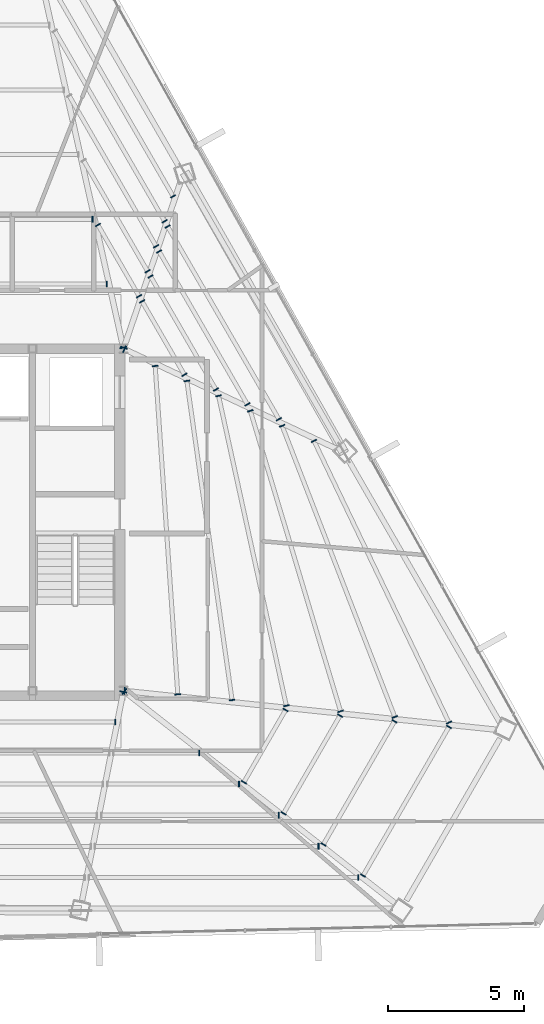
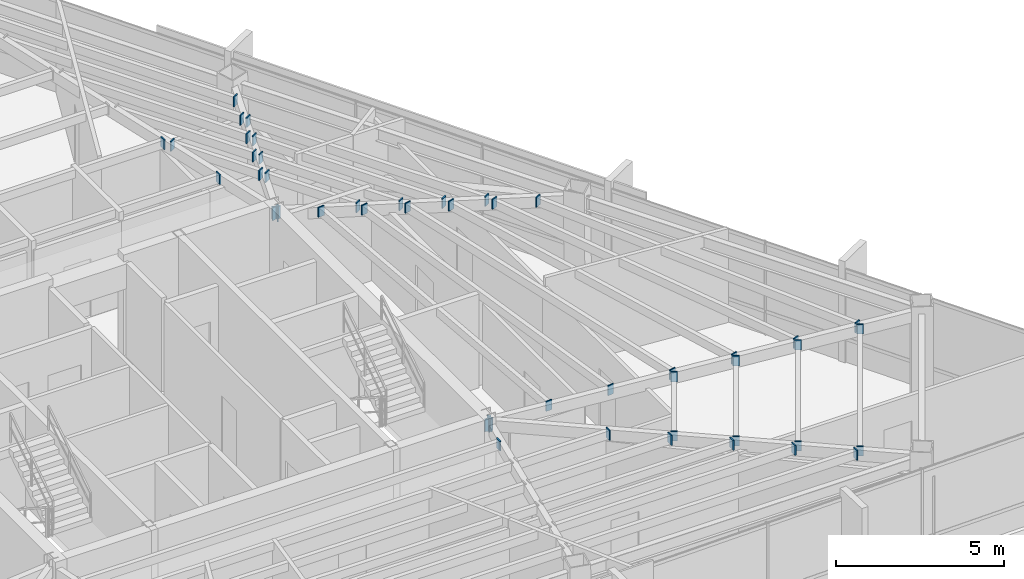
# One storey, part 40 of 47: 48 plates.
"""IFC4 building model written with IfcOpenShell, lengths in metres."""

from ifc_helpers import new_model, si_unit, direction, frame, origin, origin_2d, place, context, subcontext, project, spatial, rectangle, extrude, source, transform, mapped, material, layer, layer_set, type_object, type_shapes, element, save


model = new_model("IFC4")

# Units and contexts
model_context = context("Model", 3, precision=1e-05, world=origin(), true_north=direction((0.0, 1.0)))
body_context = subcontext(model_context, "Body", "Model", "MODEL_VIEW")
ifc_project = project(units=[si_unit("LENGTHUNIT", "METRE"), si_unit("AREAUNIT", "SQUARE_METRE"), si_unit("VOLUMEUNIT", "CUBIC_METRE"), si_unit("PLANEANGLEUNIT", "RADIAN"), si_unit("MASSUNIT", "GRAM", prefix="KILO")], contexts=[model_context])

# Site, building, storey
site_placement = place(None, origin())
site = spatial("IfcSite", under=ifc_project, at=site_placement, CompositionType="ELEMENT")
building_placement = place(site_placement, origin())
building = spatial("IfcBuilding", under=site, at=building_placement, Name="Caelisora Broadcast Tower", CompositionType="ELEMENT")
storey_placement = place(building_placement, frame((0.0, 0.0, 255.39990234375)))
storey = spatial("IfcBuildingStorey", under=building, at=storey_placement, Name="L67", CompositionType="ELEMENT", Elevation=255.39990234375)

# Plates
ifc_material = material(Name="Steel Grade 350 L15 (AS/NZS 3678)", Category="steel")
ifc_layer = layer(ifc_material, 0.0400390625, Name="Steel Grade 350 L15 (AS/NZS 3678)")
ifc_layer_set = layer_set([ifc_layer], Name="Steel Grade 350 L15 (AS/NZS 3678)")
plate_type = type_object("IfcPlateType", Name="GP04", PredefinedType="USERDEFINED", material=ifc_layer_set)
shared_shape_1 = source(origin(), body_context, "Body", "SweptSolid", [
    extrude(rectangle(XDim=0.260009765625, YDim=0.0400390625, at=origin_2d()), origin(), (0.0, 0.0, 1.0), 0.4599609375),
])
for number, where, z_axis, x_axis, name in (
    (1, (45.4912109375, 30.0390625, 2.97021484375), (0.0, 0.0, 1.0), (-0.976068816814, -0.217461869863, 0.0), "L67 gusset plate GP04 (ND-RAD-L67-01)"),
    (2, (45.4921875, 17.36083984375, 2.97021484375), (0.0, 0.0, 1.0), (0.981022896164, -0.193891921448, 0.0), "L67 gusset plate GP04 (ND-RAD-L67-08)"),
    (3, (45.531494140625, 17.37548828125, 2.97021484375), (0.0, 0.0, 1.0), (0.616073992379, 0.787688286008, 0.0), "L67 gusset plate GP04 (ND-RAD-L67-09)"),
    (4, (45.539794921875, 17.395751953125, 2.97021484375), (0.0, 0.0, 1.0), (0.103834130589, 0.994594627637, 0.0), "L67 gusset plate GP04 (ND-RAD-L67-10)"),
    (5, (45.5361328125, 29.98291015625, 2.97021484375), (0.0, 0.0, 1.0), (0.425463421407, 0.904975622348, 0.0), "L67 gusset plate GP04 (ND-RAD-L67-11)"),
    (6, (45.512939453125, 30.037841796875, 2.97021484375), (0.0, 0.0, 1.0), (-0.946198369695, 0.32358715238, 0.0), "L67 gusset plate GP04 (ND-RAD-L67-12)"),
):
    element("IfcPlate", number, at=place(storey_placement, frame(where, z_axis=z_axis, x_axis=x_axis)), inside=storey, type_object=plate_type, Name=name, ObjectType="GUSSET PLATE", PredefinedType="USERDEFINED", context=body_context, shape_type="MappedRepresentation", body=[
        mapped(shared_shape_1, transform((0.0, 0.0, 0.0), scale=1.0)),
    ])
shared_shape_2 = source(origin(), body_context, "Body", "SweptSolid", [
    extrude(rectangle(XDim=0.2099609375, YDim=0.0400390625, at=origin_2d()), origin(), (0.0, 0.0, 1.0), 0.360107421875),
])
type_shapes(plate_type, [shared_shape_1, shared_shape_2])
for number, where, z_axis, x_axis, name in (
    (7, (44.889404296875, 32.3828125, 3.06982421875), (0.0, 0.0, 1.0), (0.0, -1.0, 0.0), "L67 gusset plate GP04 (ND-SB-L67-001A)"),
    (8, (44.3583984375, 34.765380859375, 3.06982421875), (0.0, 0.0, 1.0), (0.0, -1.0, 0.0), "L67 gusset plate GP04 (ND-SB-L67-002A)"),
    (9, (45.19482421875, 16.2548828125, 3.06982421875), (0.0, 0.0, 1.0), (0.0, 1.0, 0.0), "L67 gusset plate GP04 (ND-SB-L67-031B)"),
    (10, (48.2890625, 15.10986328125, 3.06982421875), (0.0, 0.0, 1.0), (0.0, 1.0, 0.0), "L67 gusset plate GP04 (ND-SB-L67-037B)"),
    (11, (49.75341796875, 13.964599609375, 3.06982421875), (0.0, 0.0, 1.0), (0.0, 1.0, 0.0), "L67 gusset plate GP04 (ND-SB-L67-038B)"),
    (12, (51.217529296875, 12.819580078125, 3.06982421875), (0.0, 0.0, 1.0), (0.0, 1.0, 0.0), "L67 gusset plate GP04 (ND-SB-L67-039B)"),
    (13, (52.681884765625, 11.674560546875, 3.06982421875), (0.0, 0.0, 1.0), (0.0, 1.0, 0.0), "L67 gusset plate GP04 (ND-SB-L67-040B)"),
    (14, (54.14599609375, 10.529541015625, 3.06982421875), (0.0, 0.0, 1.0), (0.0, 1.0, 0.0), "L67 gusset plate GP04 (ND-SB-L67-041B)"),
    (15, (49.931640625, 14.0322265625, 3.06982421875), (0.0, 0.0, 1.0), (-0.866025403784, 0.5, 0.0), "L67 gusset plate GP04 (ND-SB-L67-042A)"),
    (16, (51.470458984375, 16.69775390625, 3.06982421875), (0.0, 0.0, 1.0), (-0.866025403784, 0.5, 0.0), "L67 gusset plate GP04 (ND-SB-L67-042B)"),
    (17, (51.39599609375, 12.88720703125, 3.06982421875), (0.0, 0.0, 1.0), (-0.866025403784, 0.5, 0.0), "L67 gusset plate GP04 (ND-SB-L67-043A)"),
    (18, (53.47509765625, 16.488525390625, 3.06982421875), (0.0, 0.0, 1.0), (-0.866025403784, 0.5, 0.0), "L67 gusset plate GP04 (ND-SB-L67-043B)"),
    (19, (52.860107421875, 11.7421875, 3.06982421875), (0.0, 0.0, 1.0), (-0.866025403784, 0.5, 0.0), "L67 gusset plate GP04 (ND-SB-L67-044A)"),
    (20, (55.479736328125, 16.279541015625, 3.06982421875), (0.0, 0.0, 1.0), (-0.866025403784, 0.5, 0.0), "L67 gusset plate GP04 (ND-SB-L67-044B)"),
    (21, (54.32421875, 10.596923828125, 3.06982421875), (0.0, 0.0, 1.0), (-0.866025403784, 0.5, 0.0), "L67 gusset plate GP04 (ND-SB-L67-045A)"),
    (22, (57.484375, 16.0703125, 3.06982421875), (0.0, 0.0, 1.0), (-0.866025403784, 0.5, 0.0), "L67 gusset plate GP04 (ND-SB-L67-045B)"),
    (23, (47.499267578125, 17.269287109375, 3.06982421875), (0.0, 0.0, 1.0), (-0.997636552079, -0.068711789056, 0.0), "L67 gusset plate GP04 (ND-SB-L67-046A)"),
    (24, (46.665771484375, 29.363525390625, 3.06982421875), (0.0, 0.0, 1.0), (-0.997636552079, -0.068711789056, 0.0), "L67 gusset plate GP04 (ND-SB-L67-046B)"),
    (25, (49.498046875, 17.06103515625, 3.06982421875), (0.0, 0.0, 1.0), (-0.990097297715, -0.140382837472, 0.0), "L67 gusset plate GP04 (ND-SB-L67-047A)"),
    (26, (47.832275390625, 28.81396484375, 3.06982421875), (0.0, 0.0, 1.0), (-0.990097297715, -0.140382837472, 0.0), "L67 gusset plate GP04 (ND-SB-L67-047B)"),
    (27, (51.49609375, 16.85302734375, 3.06982421875), (0.0, 0.0, 1.0), (-0.976896613081, -0.213712440794, 0.0), "L67 gusset plate GP04 (ND-SB-L67-048A)"),
    (28, (49.000244140625, 28.263916015625, 3.06982421875), (0.0, 0.0, 1.0), (-0.976896613081, -0.213712440794, 0.0), "L67 gusset plate GP04 (ND-SB-L67-048B)"),
    (29, (53.493896484375, 16.645263671875, 3.06982421875), (0.0, 0.0, 1.0), (-0.957722128749, -0.28769484546, 0.0), "L67 gusset plate GP04 (ND-SB-L67-049A)"),
    (30, (50.169677734375, 27.712646484375, 3.06982421875), (0.0, 0.0, 1.0), (-0.957722128749, -0.28769484546, 0.0), "L67 gusset plate GP04 (ND-SB-L67-049B)"),
    (31, (55.49072265625, 16.437744140625, 3.06982421875), (0.0, 0.0, 1.0), (-0.93257603557, -0.360973597208, 0.0), "L67 gusset plate GP04 (ND-SB-L67-050A)"),
    (32, (51.3408203125, 27.16064453125, 3.06982421875), (0.0, 0.0, 1.0), (-0.93257603557, -0.360973597208, 0.0), "L67 gusset plate GP04 (ND-SB-L67-050B)"),
    (33, (57.48681640625, 16.23046875, 3.06982421875), (0.0, 0.0, 1.0), (-0.901832526405, -0.432085748802, 0.0), "L67 gusset plate GP04 (ND-SB-L67-051A)"),
    (34, (52.5146484375, 26.607177734375, 3.06982421875), (0.0, 0.0, 1.0), (-0.901832526405, -0.432085748802, 0.0), "L67 gusset plate GP04 (ND-SB-L67-051B)"),
    (35, (47.74267578125, 29.04150390625, 3.06982421875), (0.0, 0.0, 1.0), (-0.866025403784, -0.5, 0.0), "L67 gusset plate GP04 (ND-SB-L67-052A)"),
    (36, (46.18310546875, 31.74267578125, 3.06982421875), (0.0, 0.0, 1.0), (-0.866025403784, -0.5, 0.0), "L67 gusset plate GP04 (ND-SB-L67-052B)"),
    (37, (48.902099609375, 28.496337890625, 3.06982421875), (0.0, 0.0, 1.0), (-0.866025403784, -0.5, 0.0), "L67 gusset plate GP04 (ND-SB-L67-053A)"),
    (38, (46.497314453125, 32.661376953125, 3.06982421875), (0.0, 0.0, 1.0), (-0.866025403784, -0.5, 0.0), "L67 gusset plate GP04 (ND-SB-L67-053B)"),
    (39, (50.0615234375, 27.951171875, 3.06982421875), (0.0, 0.0, 1.0), (-0.866025403784, -0.5, 0.0), "L67 gusset plate GP04 (ND-SB-L67-054A)"),
    (40, (46.8115234375, 33.580078125, 3.06982421875), (0.0, 0.0, 1.0), (-0.866025403784, -0.5, 0.0), "L67 gusset plate GP04 (ND-SB-L67-054B)"),
    (41, (51.220947265625, 27.406005859375, 3.06982421875), (0.0, 0.0, 1.0), (-0.866025403784, -0.5, 0.0), "L67 gusset plate GP04 (ND-SB-L67-055A)"),
    (42, (47.125732421875, 34.4990234375, 3.06982421875), (0.0, 0.0, 1.0), (-0.866025403784, -0.5, 0.0), "L67 gusset plate GP04 (ND-SB-L67-055B)"),
    (43, (46.073486328125, 31.9326171875, 3.06982421875), (0.0, 0.0, 1.0), (-0.866025403784, -0.5, 0.0), "L67 gusset plate GP04 (ND-SB-L67-056A)"),
    (44, (44.55810546875, 34.5576171875, 3.06982421875), (0.0, 0.0, 1.0), (-0.866025403784, -0.5, 0.0), "L67 gusset plate GP04 (ND-SB-L67-056B)"),
    (45, (46.3876953125, 32.851318359375, 3.06982421875), (0.0, 0.0, 1.0), (-0.866025403784, -0.5, 0.0), "L67 gusset plate GP04 (ND-SB-L67-057A)"),
    (46, (46.701904296875, 33.770263671875, 3.06982421875), (0.0, 0.0, 1.0), (-0.866025403784, -0.5, 0.0), "L67 gusset plate GP04 (ND-SB-L67-058A)"),
    (47, (47.01611328125, 34.68896484375, 3.06982421875), (0.0, 0.0, 1.0), (-0.866025403784, -0.5, 0.0), "L67 gusset plate GP04 (ND-SB-L67-059A)"),
    (48, (47.330078125, 35.60791015625, 3.06982421875), (0.0, 0.0, 1.0), (-0.866025403784, -0.5, 0.0), "L67 gusset plate GP04 (ND-SB-L67-060A)"),
):
    element("IfcPlate", number, at=place(storey_placement, frame(where, z_axis=z_axis, x_axis=x_axis)), inside=storey, type_object=plate_type, Name=name, ObjectType="GUSSET PLATE", PredefinedType="USERDEFINED", context=body_context, shape_type="MappedRepresentation", body=[
        mapped(shared_shape_2, transform((0.0, 0.0, 0.0), scale=1.0)),
    ])

save(model, "model.ifc")
